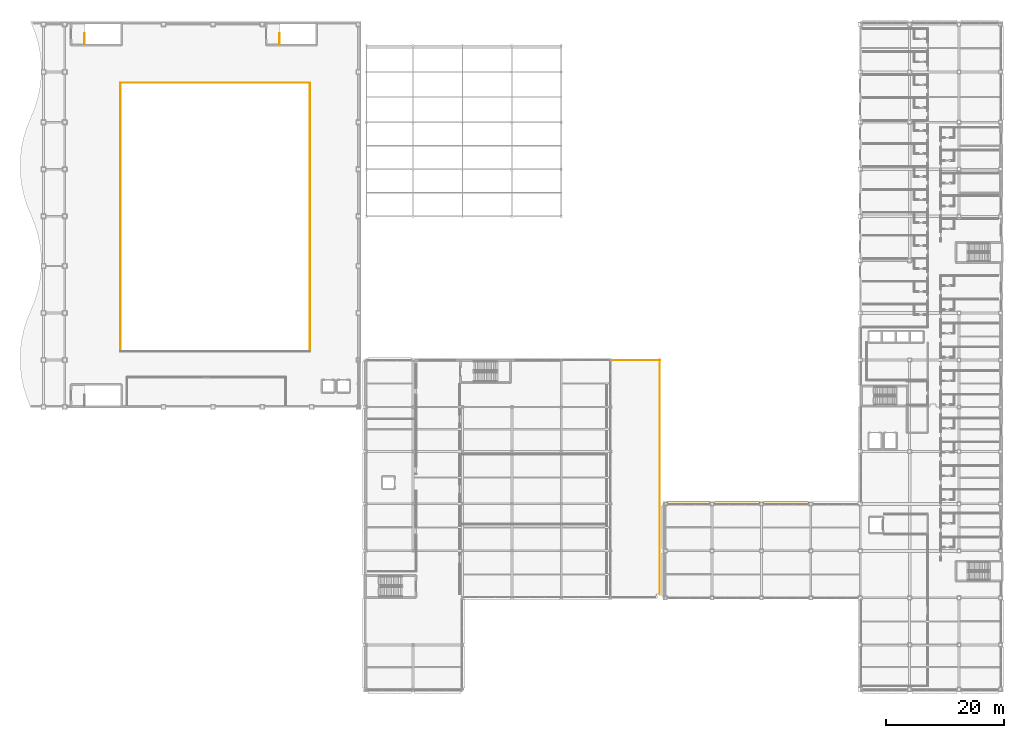
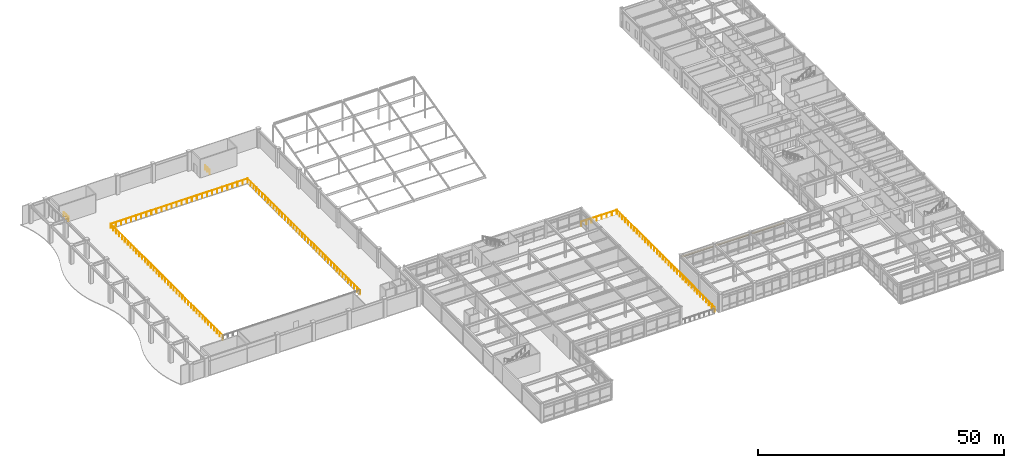
# One storey, part 89 of 93: 7 railings, 3 coverings.
"""IFC4 building model written with IfcOpenShell, lengths in metres."""

from ifc_helpers import new_model, si_unit, direction, frame, origin, origin_2d, place, context, subcontext, project, spatial, rectangle, circle, extrude, material, layer, layer_set, type_object, element, save


model = new_model("IFC4")

# Units and contexts
model_context = context("Model", 3, precision=1e-05, world=origin(), true_north=direction((0.0, 1.0)))
body_context = subcontext(model_context, "Body", "Model", "MODEL_VIEW")
ifc_project = project(units=[si_unit("LENGTHUNIT", "METRE"), si_unit("AREAUNIT", "SQUARE_METRE"), si_unit("VOLUMEUNIT", "CUBIC_METRE"), si_unit("PLANEANGLEUNIT", "RADIAN"), si_unit("MASSUNIT", "GRAM", prefix="KILO")], contexts=[model_context])

# Site, building, storey
site_placement = place(None, origin())
site = spatial("IfcSite", under=ifc_project, at=site_placement, CompositionType="ELEMENT")
building_placement = place(site_placement, origin())
building = spatial("IfcBuilding", under=site, at=building_placement, Name="Kazehara Bluff Congress Hotel", CompositionType="ELEMENT")
storey_placement = place(building_placement, frame((0.0, 0.0, 15.0)))
storey = spatial("IfcBuildingStorey", under=building, at=storey_placement, Name="L03", CompositionType="ELEMENT", Elevation=15.0)

# Coverings
ifc_material_1 = material(Name="Anodised aluminium architectural brise-soleil", Category="aluminium")
ifc_layer = layer(ifc_material_1, 0.10009765625)
ifc_layer_set = layer_set([ifc_layer], Name="Anodised aluminium architectural brise-soleil")
covering_type = type_object("IfcCoveringType", Name="TP-FAC-FIN", PredefinedType="CLADDING", material=ifc_layer_set)
covering_placement = place(storey_placement, frame((114.52490234375, 32.139892578125, 3.71484375), z_axis=(0.0, 0.0, 1.0), x_axis=(1.0, 0.0, 0.0)))
element("IfcCovering", 1, at=covering_placement, inside=storey, type_object=covering_type, Name="L03 V5 architectural sun-hood 165", PredefinedType="CLADDING", context=body_context, shape_type="SweptSolid", body=[
    extrude(rectangle(XDim=7.199951171875, YDim=0.52001953125, at=origin_2d()), origin(), (0.0, 0.0, 1.0), 0.10009765625),
])
for number, where, z_axis, x_axis, name in (
    (2, (122.699951171875, 32.139892578125, 3.71484375), (0.0, 0.0, 1.0), (1.0, 0.0, 0.0), "L03 V5 architectural sun-hood 166"),
    (3, (131.10009765625, 32.139892578125, 3.71484375), (0.0, 0.0, 1.0), (1.0, 0.0, 0.0), "L03 V5 architectural sun-hood 167"),
):
    element("IfcCovering", number, at=place(storey_placement, frame(where, z_axis=z_axis, x_axis=x_axis)), inside=storey, type_object=covering_type, Name=name, PredefinedType="CLADDING", context=body_context, shape_type="SweptSolid", body=[
        extrude(rectangle(XDim=7.64990234375, YDim=0.52001953125, at=origin_2d()), origin(), (0.0, 0.0, 1.0), 0.10009765625),
    ])

# Railings
ifc_material_2 = material(Name="Painted galvanised steel", Category="steel")
railing_type_1 = type_object("IfcRailingType", Name="TP-GRD-EXT", PredefinedType="BALUSTRADE", material=ifc_material_2)
railing_1_placement = place(storey_placement, frame((109.60009765625, 16.550048828125, 0.0)))
element("IfcRailing", 4, at=railing_1_placement, inside=storey, type_object=railing_type_1, Name="Concourse Court Terrace edge guard 4", PredefinedType="BALUSTRADE", context=body_context, shape_type="SweptSolid", body=[
    extrude(circle(Radius=0.02392578125, at=origin_2d()), frame((0.0, 0.0, 1.076171875), z_axis=(0.0, 1.0, 0.0), x_axis=(-1.0, 0.0, 0.0)), (0.0, 0.0, 1.0), 39.89990234375),
    extrude(circle(Radius=0.02099609375, at=origin_2d()), origin(), (0.0, 0.0, 1.0), 1.052001953125),
    extrude(circle(Radius=0.02099609375, at=origin_2d()), frame((0.0, 1.173583984375, 0.0)), (0.0, 0.0, 1.0), 1.052001953125),
    extrude(circle(Radius=0.02099609375, at=origin_2d()), frame((0.0, 2.34716796875, 0.0)), (0.0, 0.0, 1.0), 1.052001953125),
    extrude(circle(Radius=0.02099609375, at=origin_2d()), frame((0.0, 3.5205078125, 0.0)), (0.0, 0.0, 1.0), 1.052001953125),
    extrude(circle(Radius=0.02099609375, at=origin_2d()), frame((0.0, 4.694091796875, 0.0)), (0.0, 0.0, 1.0), 1.052001953125),
    extrude(circle(Radius=0.02099609375, at=origin_2d()), frame((0.0, 5.86767578125, 0.0)), (0.0, 0.0, 1.0), 1.052001953125),
    extrude(circle(Radius=0.02099609375, at=origin_2d()), frame((0.0, 7.041259765625, 0.0)), (0.0, 0.0, 1.0), 1.052001953125),
    extrude(circle(Radius=0.02099609375, at=origin_2d()), frame((0.0, 8.214599609375, 0.0)), (0.0, 0.0, 1.0), 1.052001953125),
    extrude(circle(Radius=0.02099609375, at=origin_2d()), frame((0.0, 9.38818359375, 0.0)), (0.0, 0.0, 1.0), 1.052001953125),
    extrude(circle(Radius=0.02099609375, at=origin_2d()), frame((0.0, 10.561767578125, 0.0)), (0.0, 0.0, 1.0), 1.052001953125),
    extrude(circle(Radius=0.02099609375, at=origin_2d()), frame((0.0, 11.7353515625, 0.0)), (0.0, 0.0, 1.0), 1.052001953125),
    extrude(circle(Radius=0.02099609375, at=origin_2d()), frame((0.0, 12.90869140625, 0.0)), (0.0, 0.0, 1.0), 1.052001953125),
    extrude(circle(Radius=0.02099609375, at=origin_2d()), frame((0.0, 14.082275390625, 0.0)), (0.0, 0.0, 1.0), 1.052001953125),
    extrude(circle(Radius=0.02099609375, at=origin_2d()), frame((0.0, 15.255859375, 0.0)), (0.0, 0.0, 1.0), 1.052001953125),
    extrude(circle(Radius=0.02099609375, at=origin_2d()), frame((0.0, 16.429443359375, 0.0)), (0.0, 0.0, 1.0), 1.052001953125),
    extrude(circle(Radius=0.02099609375, at=origin_2d()), frame((0.0, 17.602783203125, 0.0)), (0.0, 0.0, 1.0), 1.052001953125),
    extrude(circle(Radius=0.02099609375, at=origin_2d()), frame((0.0, 18.7763671875, 0.0)), (0.0, 0.0, 1.0), 1.052001953125),
    extrude(circle(Radius=0.02099609375, at=origin_2d()), frame((0.0, 19.949951171875, 0.0)), (0.0, 0.0, 1.0), 1.052001953125),
    extrude(circle(Radius=0.02099609375, at=origin_2d()), frame((0.0, 21.12353515625, 0.0)), (0.0, 0.0, 1.0), 1.052001953125),
    extrude(circle(Radius=0.02099609375, at=origin_2d()), frame((0.0, 22.297119140625, 0.0)), (0.0, 0.0, 1.0), 1.052001953125),
    extrude(circle(Radius=0.02099609375, at=origin_2d()), frame((0.0, 23.470458984375, 0.0)), (0.0, 0.0, 1.0), 1.052001953125),
    extrude(circle(Radius=0.02099609375, at=origin_2d()), frame((0.0, 24.64404296875, 0.0)), (0.0, 0.0, 1.0), 1.052001953125),
    extrude(circle(Radius=0.02099609375, at=origin_2d()), frame((0.0, 25.817626953125, 0.0)), (0.0, 0.0, 1.0), 1.052001953125),
    extrude(circle(Radius=0.02099609375, at=origin_2d()), frame((0.0, 26.9912109375, 0.0)), (0.0, 0.0, 1.0), 1.052001953125),
    extrude(circle(Radius=0.02099609375, at=origin_2d()), frame((0.0, 28.16455078125, 0.0)), (0.0, 0.0, 1.0), 1.052001953125),
    extrude(circle(Radius=0.02099609375, at=origin_2d()), frame((0.0, 29.338134765625, 0.0)), (0.0, 0.0, 1.0), 1.052001953125),
    extrude(circle(Radius=0.02099609375, at=origin_2d()), frame((0.0, 30.51171875, 0.0)), (0.0, 0.0, 1.0), 1.052001953125),
    extrude(circle(Radius=0.02099609375, at=origin_2d()), frame((0.0, 31.685302734375, 0.0)), (0.0, 0.0, 1.0), 1.052001953125),
    extrude(circle(Radius=0.02099609375, at=origin_2d()), frame((0.0, 32.858642578125, 0.0)), (0.0, 0.0, 1.0), 1.052001953125),
    extrude(circle(Radius=0.02099609375, at=origin_2d()), frame((0.0, 34.0322265625, 0.0)), (0.0, 0.0, 1.0), 1.052001953125),
    extrude(circle(Radius=0.02099609375, at=origin_2d()), frame((0.0, 35.205810546875, 0.0)), (0.0, 0.0, 1.0), 1.052001953125),
    extrude(circle(Radius=0.02099609375, at=origin_2d()), frame((0.0, 36.37939453125, 0.0)), (0.0, 0.0, 1.0), 1.052001953125),
    extrude(circle(Radius=0.02099609375, at=origin_2d()), frame((0.0, 37.552734375, 0.0)), (0.0, 0.0, 1.0), 1.052001953125),
    extrude(circle(Radius=0.02099609375, at=origin_2d()), frame((0.0, 38.726318359375, 0.0)), (0.0, 0.0, 1.0), 1.052001953125),
    extrude(circle(Radius=0.02099609375, at=origin_2d()), frame((0.0, 39.89990234375, 0.0)), (0.0, 0.0, 1.0), 1.052001953125),
])
railing_2_placement = place(storey_placement, frame((109.64990234375, 56.39990234375, 0.0)))
element("IfcRailing", 5, at=railing_2_placement, inside=storey, type_object=railing_type_1, Name="Concourse Court Terrace edge guard 5", PredefinedType="BALUSTRADE", context=body_context, shape_type="SweptSolid", body=[
    extrude(circle(Radius=0.02392578125, at=origin_2d()), frame((0.0, 0.0, 1.076171875), z_axis=(-1.0, 0.0, 0.0), x_axis=(0.0, -1.0, 0.0)), (0.0, 0.0, 1.0), 8.39990234375),
    extrude(circle(Radius=0.02099609375, at=origin_2d()), origin(), (0.0, 0.0, 1.0), 1.052001953125),
    extrude(circle(Radius=0.02099609375, at=origin_2d()), frame((-1.199951171875, 0.0, 0.0)), (0.0, 0.0, 1.0), 1.052001953125),
    extrude(circle(Radius=0.02099609375, at=origin_2d()), frame((-2.39990234375, 0.0, 0.0)), (0.0, 0.0, 1.0), 1.052001953125),
    extrude(circle(Radius=0.02099609375, at=origin_2d()), frame((-3.599853515625, 0.0, 0.0)), (0.0, 0.0, 1.0), 1.052001953125),
    extrude(circle(Radius=0.02099609375, at=origin_2d()), frame((-4.800048828125, 0.0, 0.0)), (0.0, 0.0, 1.0), 1.052001953125),
    extrude(circle(Radius=0.02099609375, at=origin_2d()), frame((-6.0, 0.0, 0.0)), (0.0, 0.0, 1.0), 1.052001953125),
    extrude(circle(Radius=0.02099609375, at=origin_2d()), frame((-7.199951171875, 0.0, 0.0)), (0.0, 0.0, 1.0), 1.052001953125),
    extrude(circle(Radius=0.02099609375, at=origin_2d()), frame((-8.39990234375, 0.0, 0.0)), (0.0, 0.0, 1.0), 1.052001953125),
])
ifc_material_3 = material(Name="Brushed stainless steel", Category="steel")
railing_type_2 = type_object("IfcRailingType", Name="TP-GRD-INT", PredefinedType="GUARDRAIL", material=ifc_material_3)
for number, where, name in (
    (6, (11.75, 110.14990234375, 0.0), "L03 ST-01 top well guard 1"),
    (7, (44.949951171875, 110.14990234375, 0.0), "L03 ST-02 top well guard 1"),
):
    element("IfcRailing", number, at=place(storey_placement, frame(where)), inside=storey, type_object=railing_type_2, Name=name, PredefinedType="GUARDRAIL", context=body_context, shape_type="SweptSolid", body=[
        extrude(circle(Radius=0.02392578125, at=origin_2d()), frame((0.0, 0.0, 1.076171875), z_axis=(0.0, 1.0, 0.0), x_axis=(-1.0, 0.0, 0.0)), (0.0, 0.0, 1.0), 1.85009765625),
        extrude(circle(Radius=0.02099609375, at=origin_2d()), origin(), (0.0, 0.0, 1.0), 1.052001953125),
        extrude(circle(Radius=0.02099609375, at=origin_2d()), frame((0.0, 0.925048828125, 0.0)), (0.0, 0.0, 1.0), 1.052001953125),
        extrude(circle(Radius=0.02099609375, at=origin_2d()), frame((0.0, 1.85009765625, 0.0)), (0.0, 0.0, 1.0), 1.052001953125),
    ])
railing_3_placement = place(storey_placement, frame((50.10009765625, 57.89990234375, 0.0)))
element("IfcRailing", 8, at=railing_3_placement, inside=storey, type_object=railing_type_2, Name="L03 V1-VOID void guardrail E", PredefinedType="GUARDRAIL", context=body_context, shape_type="SweptSolid", body=[
    extrude(circle(Radius=0.02392578125, at=origin_2d()), frame((0.0, 0.0, 1.076171875), z_axis=(0.0, 1.0, 0.0), x_axis=(-1.0, 0.0, 0.0)), (0.0, 0.0, 1.0), 45.6201171875),
    extrude(circle(Radius=0.02099609375, at=origin_2d()), origin(), (0.0, 0.0, 1.0), 1.052001953125),
    extrude(circle(Radius=0.02099609375, at=origin_2d()), frame((0.0, 1.169677734375, 0.0)), (0.0, 0.0, 1.0), 1.052001953125),
    extrude(circle(Radius=0.02099609375, at=origin_2d()), frame((0.0, 2.339599609375, 0.0)), (0.0, 0.0, 1.0), 1.052001953125),
    extrude(circle(Radius=0.02099609375, at=origin_2d()), frame((0.0, 3.50927734375, 0.0)), (0.0, 0.0, 1.0), 1.052001953125),
    extrude(circle(Radius=0.02099609375, at=origin_2d()), frame((0.0, 4.678955078125, 0.0)), (0.0, 0.0, 1.0), 1.052001953125),
    extrude(circle(Radius=0.02099609375, at=origin_2d()), frame((0.0, 5.8486328125, 0.0)), (0.0, 0.0, 1.0), 1.052001953125),
    extrude(circle(Radius=0.02099609375, at=origin_2d()), frame((0.0, 7.0185546875, 0.0)), (0.0, 0.0, 1.0), 1.052001953125),
    extrude(circle(Radius=0.02099609375, at=origin_2d()), frame((0.0, 8.188232421875, 0.0)), (0.0, 0.0, 1.0), 1.052001953125),
    extrude(circle(Radius=0.02099609375, at=origin_2d()), frame((0.0, 9.35791015625, 0.0)), (0.0, 0.0, 1.0), 1.052001953125),
    extrude(circle(Radius=0.02099609375, at=origin_2d()), frame((0.0, 10.52783203125, 0.0)), (0.0, 0.0, 1.0), 1.052001953125),
    extrude(circle(Radius=0.02099609375, at=origin_2d()), frame((0.0, 11.697509765625, 0.0)), (0.0, 0.0, 1.0), 1.052001953125),
    extrude(circle(Radius=0.02099609375, at=origin_2d()), frame((0.0, 12.8671875, 0.0)), (0.0, 0.0, 1.0), 1.052001953125),
    extrude(circle(Radius=0.02099609375, at=origin_2d()), frame((0.0, 14.036865234375, 0.0)), (0.0, 0.0, 1.0), 1.052001953125),
    extrude(circle(Radius=0.02099609375, at=origin_2d()), frame((0.0, 15.206787109375, 0.0)), (0.0, 0.0, 1.0), 1.052001953125),
    extrude(circle(Radius=0.02099609375, at=origin_2d()), frame((0.0, 16.37646484375, 0.0)), (0.0, 0.0, 1.0), 1.052001953125),
    extrude(circle(Radius=0.02099609375, at=origin_2d()), frame((0.0, 17.546142578125, 0.0)), (0.0, 0.0, 1.0), 1.052001953125),
    extrude(circle(Radius=0.02099609375, at=origin_2d()), frame((0.0, 18.716064453125, 0.0)), (0.0, 0.0, 1.0), 1.052001953125),
    extrude(circle(Radius=0.02099609375, at=origin_2d()), frame((0.0, 19.8857421875, 0.0)), (0.0, 0.0, 1.0), 1.052001953125),
    extrude(circle(Radius=0.02099609375, at=origin_2d()), frame((0.0, 21.055419921875, 0.0)), (0.0, 0.0, 1.0), 1.052001953125),
    extrude(circle(Radius=0.02099609375, at=origin_2d()), frame((0.0, 22.22509765625, 0.0)), (0.0, 0.0, 1.0), 1.052001953125),
    extrude(circle(Radius=0.02099609375, at=origin_2d()), frame((0.0, 23.39501953125, 0.0)), (0.0, 0.0, 1.0), 1.052001953125),
    extrude(circle(Radius=0.02099609375, at=origin_2d()), frame((0.0, 24.564697265625, 0.0)), (0.0, 0.0, 1.0), 1.052001953125),
    extrude(circle(Radius=0.02099609375, at=origin_2d()), frame((0.0, 25.734375, 0.0)), (0.0, 0.0, 1.0), 1.052001953125),
    extrude(circle(Radius=0.02099609375, at=origin_2d()), frame((0.0, 26.904052734375, 0.0)), (0.0, 0.0, 1.0), 1.052001953125),
    extrude(circle(Radius=0.02099609375, at=origin_2d()), frame((0.0, 28.073974609375, 0.0)), (0.0, 0.0, 1.0), 1.052001953125),
    extrude(circle(Radius=0.02099609375, at=origin_2d()), frame((0.0, 29.24365234375, 0.0)), (0.0, 0.0, 1.0), 1.052001953125),
    extrude(circle(Radius=0.02099609375, at=origin_2d()), frame((0.0, 30.413330078125, 0.0)), (0.0, 0.0, 1.0), 1.052001953125),
    extrude(circle(Radius=0.02099609375, at=origin_2d()), frame((0.0, 31.583251953125, 0.0)), (0.0, 0.0, 1.0), 1.052001953125),
    extrude(circle(Radius=0.02099609375, at=origin_2d()), frame((0.0, 32.7529296875, 0.0)), (0.0, 0.0, 1.0), 1.052001953125),
    extrude(circle(Radius=0.02099609375, at=origin_2d()), frame((0.0, 33.922607421875, 0.0)), (0.0, 0.0, 1.0), 1.052001953125),
    extrude(circle(Radius=0.02099609375, at=origin_2d()), frame((0.0, 35.09228515625, 0.0)), (0.0, 0.0, 1.0), 1.052001953125),
    extrude(circle(Radius=0.02099609375, at=origin_2d()), frame((0.0, 36.26220703125, 0.0)), (0.0, 0.0, 1.0), 1.052001953125),
    extrude(circle(Radius=0.02099609375, at=origin_2d()), frame((0.0, 37.431884765625, 0.0)), (0.0, 0.0, 1.0), 1.052001953125),
    extrude(circle(Radius=0.02099609375, at=origin_2d()), frame((0.0, 38.6015625, 0.0)), (0.0, 0.0, 1.0), 1.052001953125),
    extrude(circle(Radius=0.02099609375, at=origin_2d()), frame((0.0, 39.771484375, 0.0)), (0.0, 0.0, 1.0), 1.052001953125),
    extrude(circle(Radius=0.02099609375, at=origin_2d()), frame((0.0, 40.941162109375, 0.0)), (0.0, 0.0, 1.0), 1.052001953125),
    extrude(circle(Radius=0.02099609375, at=origin_2d()), frame((0.0, 42.11083984375, 0.0)), (0.0, 0.0, 1.0), 1.052001953125),
    extrude(circle(Radius=0.02099609375, at=origin_2d()), frame((0.0, 43.280517578125, 0.0)), (0.0, 0.0, 1.0), 1.052001953125),
    extrude(circle(Radius=0.02099609375, at=origin_2d()), frame((0.0, 44.450439453125, 0.0)), (0.0, 0.0, 1.0), 1.052001953125),
    extrude(circle(Radius=0.02099609375, at=origin_2d()), frame((0.0, 45.6201171875, 0.0)), (0.0, 0.0, 1.0), 1.052001953125),
])
railing_4_placement = place(storey_placement, frame((50.10009765625, 103.60009765625, 0.0)))
element("IfcRailing", 9, at=railing_4_placement, inside=storey, type_object=railing_type_2, Name="L03 V1-VOID void guardrail N", PredefinedType="GUARDRAIL", context=body_context, shape_type="SweptSolid", body=[
    extrude(circle(Radius=0.02392578125, at=origin_2d()), frame((0.0, 0.0, 1.076171875), z_axis=(-1.0, 0.0, 0.0), x_axis=(0.0, -1.0, 0.0)), (0.0, 0.0, 1.0), 32.1201171875),
    extrude(circle(Radius=0.02099609375, at=origin_2d()), origin(), (0.0, 0.0, 1.0), 1.052001953125),
    extrude(circle(Radius=0.02099609375, at=origin_2d()), frame((-1.189697265625, 0.0, 0.0)), (0.0, 0.0, 1.0), 1.052001953125),
    extrude(circle(Radius=0.02099609375, at=origin_2d()), frame((-2.379150390625, 0.0, 0.0)), (0.0, 0.0, 1.0), 1.052001953125),
    extrude(circle(Radius=0.02099609375, at=origin_2d()), frame((-3.56884765625, 0.0, 0.0)), (0.0, 0.0, 1.0), 1.052001953125),
    extrude(circle(Radius=0.02099609375, at=origin_2d()), frame((-4.758544921875, 0.0, 0.0)), (0.0, 0.0, 1.0), 1.052001953125),
    extrude(circle(Radius=0.02099609375, at=origin_2d()), frame((-5.9482421875, 0.0, 0.0)), (0.0, 0.0, 1.0), 1.052001953125),
    extrude(circle(Radius=0.02099609375, at=origin_2d()), frame((-7.1376953125, 0.0, 0.0)), (0.0, 0.0, 1.0), 1.052001953125),
    extrude(circle(Radius=0.02099609375, at=origin_2d()), frame((-8.327392578125, 0.0, 0.0)), (0.0, 0.0, 1.0), 1.052001953125),
    extrude(circle(Radius=0.02099609375, at=origin_2d()), frame((-9.51708984375, 0.0, 0.0)), (0.0, 0.0, 1.0), 1.052001953125),
    extrude(circle(Radius=0.02099609375, at=origin_2d()), frame((-10.706787109375, 0.0, 0.0)), (0.0, 0.0, 1.0), 1.052001953125),
    extrude(circle(Radius=0.02099609375, at=origin_2d()), frame((-11.896240234375, 0.0, 0.0)), (0.0, 0.0, 1.0), 1.052001953125),
    extrude(circle(Radius=0.02099609375, at=origin_2d()), frame((-13.0859375, 0.0, 0.0)), (0.0, 0.0, 1.0), 1.052001953125),
    extrude(circle(Radius=0.02099609375, at=origin_2d()), frame((-14.275634765625, 0.0, 0.0)), (0.0, 0.0, 1.0), 1.052001953125),
    extrude(circle(Radius=0.02099609375, at=origin_2d()), frame((-15.46533203125, 0.0, 0.0)), (0.0, 0.0, 1.0), 1.052001953125),
    extrude(circle(Radius=0.02099609375, at=origin_2d()), frame((-16.65478515625, 0.0, 0.0)), (0.0, 0.0, 1.0), 1.052001953125),
    extrude(circle(Radius=0.02099609375, at=origin_2d()), frame((-17.844482421875, 0.0, 0.0)), (0.0, 0.0, 1.0), 1.052001953125),
    extrude(circle(Radius=0.02099609375, at=origin_2d()), frame((-19.0341796875, 0.0, 0.0)), (0.0, 0.0, 1.0), 1.052001953125),
    extrude(circle(Radius=0.02099609375, at=origin_2d()), frame((-20.223876953125, 0.0, 0.0)), (0.0, 0.0, 1.0), 1.052001953125),
    extrude(circle(Radius=0.02099609375, at=origin_2d()), frame((-21.413330078125, 0.0, 0.0)), (0.0, 0.0, 1.0), 1.052001953125),
    extrude(circle(Radius=0.02099609375, at=origin_2d()), frame((-22.60302734375, 0.0, 0.0)), (0.0, 0.0, 1.0), 1.052001953125),
    extrude(circle(Radius=0.02099609375, at=origin_2d()), frame((-23.792724609375, 0.0, 0.0)), (0.0, 0.0, 1.0), 1.052001953125),
    extrude(circle(Radius=0.02099609375, at=origin_2d()), frame((-24.982421875, 0.0, 0.0)), (0.0, 0.0, 1.0), 1.052001953125),
    extrude(circle(Radius=0.02099609375, at=origin_2d()), frame((-26.171875, 0.0, 0.0)), (0.0, 0.0, 1.0), 1.052001953125),
    extrude(circle(Radius=0.02099609375, at=origin_2d()), frame((-27.361572265625, 0.0, 0.0)), (0.0, 0.0, 1.0), 1.052001953125),
    extrude(circle(Radius=0.02099609375, at=origin_2d()), frame((-28.55126953125, 0.0, 0.0)), (0.0, 0.0, 1.0), 1.052001953125),
    extrude(circle(Radius=0.02099609375, at=origin_2d()), frame((-29.740966796875, 0.0, 0.0)), (0.0, 0.0, 1.0), 1.052001953125),
    extrude(circle(Radius=0.02099609375, at=origin_2d()), frame((-30.930419921875, 0.0, 0.0)), (0.0, 0.0, 1.0), 1.052001953125),
    extrude(circle(Radius=0.02099609375, at=origin_2d()), frame((-32.1201171875, 0.0, 0.0)), (0.0, 0.0, 1.0), 1.052001953125),
])
railing_5_placement = place(storey_placement, frame((17.89990234375, 103.60009765625, 0.0)))
element("IfcRailing", 10, at=railing_5_placement, inside=storey, type_object=railing_type_2, Name="L03 V1-VOID void guardrail W", PredefinedType="GUARDRAIL", context=body_context, shape_type="SweptSolid", body=[
    extrude(circle(Radius=0.02392578125, at=origin_2d()), frame((0.0, 0.0, 1.076171875), z_axis=(0.0, -1.0, 0.0), x_axis=(1.0, 0.0, 0.0)), (0.0, 0.0, 1.0), 45.6201171875),
    extrude(circle(Radius=0.02099609375, at=origin_2d()), origin(), (0.0, 0.0, 1.0), 1.052001953125),
    extrude(circle(Radius=0.02099609375, at=origin_2d()), frame((0.0, -1.169677734375, 0.0)), (0.0, 0.0, 1.0), 1.052001953125),
    extrude(circle(Radius=0.02099609375, at=origin_2d()), frame((0.0, -2.339599609375, 0.0)), (0.0, 0.0, 1.0), 1.052001953125),
    extrude(circle(Radius=0.02099609375, at=origin_2d()), frame((0.0, -3.50927734375, 0.0)), (0.0, 0.0, 1.0), 1.052001953125),
    extrude(circle(Radius=0.02099609375, at=origin_2d()), frame((0.0, -4.678955078125, 0.0)), (0.0, 0.0, 1.0), 1.052001953125),
    extrude(circle(Radius=0.02099609375, at=origin_2d()), frame((0.0, -5.8486328125, 0.0)), (0.0, 0.0, 1.0), 1.052001953125),
    extrude(circle(Radius=0.02099609375, at=origin_2d()), frame((0.0, -7.0185546875, 0.0)), (0.0, 0.0, 1.0), 1.052001953125),
    extrude(circle(Radius=0.02099609375, at=origin_2d()), frame((0.0, -8.188232421875, 0.0)), (0.0, 0.0, 1.0), 1.052001953125),
    extrude(circle(Radius=0.02099609375, at=origin_2d()), frame((0.0, -9.35791015625, 0.0)), (0.0, 0.0, 1.0), 1.052001953125),
    extrude(circle(Radius=0.02099609375, at=origin_2d()), frame((0.0, -10.52783203125, 0.0)), (0.0, 0.0, 1.0), 1.052001953125),
    extrude(circle(Radius=0.02099609375, at=origin_2d()), frame((0.0, -11.697509765625, 0.0)), (0.0, 0.0, 1.0), 1.052001953125),
    extrude(circle(Radius=0.02099609375, at=origin_2d()), frame((0.0, -12.8671875, 0.0)), (0.0, 0.0, 1.0), 1.052001953125),
    extrude(circle(Radius=0.02099609375, at=origin_2d()), frame((0.0, -14.036865234375, 0.0)), (0.0, 0.0, 1.0), 1.052001953125),
    extrude(circle(Radius=0.02099609375, at=origin_2d()), frame((0.0, -15.206787109375, 0.0)), (0.0, 0.0, 1.0), 1.052001953125),
    extrude(circle(Radius=0.02099609375, at=origin_2d()), frame((0.0, -16.37646484375, 0.0)), (0.0, 0.0, 1.0), 1.052001953125),
    extrude(circle(Radius=0.02099609375, at=origin_2d()), frame((0.0, -17.546142578125, 0.0)), (0.0, 0.0, 1.0), 1.052001953125),
    extrude(circle(Radius=0.02099609375, at=origin_2d()), frame((0.0, -18.716064453125, 0.0)), (0.0, 0.0, 1.0), 1.052001953125),
    extrude(circle(Radius=0.02099609375, at=origin_2d()), frame((0.0, -19.8857421875, 0.0)), (0.0, 0.0, 1.0), 1.052001953125),
    extrude(circle(Radius=0.02099609375, at=origin_2d()), frame((0.0, -21.055419921875, 0.0)), (0.0, 0.0, 1.0), 1.052001953125),
    extrude(circle(Radius=0.02099609375, at=origin_2d()), frame((0.0, -22.22509765625, 0.0)), (0.0, 0.0, 1.0), 1.052001953125),
    extrude(circle(Radius=0.02099609375, at=origin_2d()), frame((0.0, -23.39501953125, 0.0)), (0.0, 0.0, 1.0), 1.052001953125),
    extrude(circle(Radius=0.02099609375, at=origin_2d()), frame((0.0, -24.564697265625, 0.0)), (0.0, 0.0, 1.0), 1.052001953125),
    extrude(circle(Radius=0.02099609375, at=origin_2d()), frame((0.0, -25.734375, 0.0)), (0.0, 0.0, 1.0), 1.052001953125),
    extrude(circle(Radius=0.02099609375, at=origin_2d()), frame((0.0, -26.904052734375, 0.0)), (0.0, 0.0, 1.0), 1.052001953125),
    extrude(circle(Radius=0.02099609375, at=origin_2d()), frame((0.0, -28.073974609375, 0.0)), (0.0, 0.0, 1.0), 1.052001953125),
    extrude(circle(Radius=0.02099609375, at=origin_2d()), frame((0.0, -29.24365234375, 0.0)), (0.0, 0.0, 1.0), 1.052001953125),
    extrude(circle(Radius=0.02099609375, at=origin_2d()), frame((0.0, -30.413330078125, 0.0)), (0.0, 0.0, 1.0), 1.052001953125),
    extrude(circle(Radius=0.02099609375, at=origin_2d()), frame((0.0, -31.583251953125, 0.0)), (0.0, 0.0, 1.0), 1.052001953125),
    extrude(circle(Radius=0.02099609375, at=origin_2d()), frame((0.0, -32.7529296875, 0.0)), (0.0, 0.0, 1.0), 1.052001953125),
    extrude(circle(Radius=0.02099609375, at=origin_2d()), frame((0.0, -33.922607421875, 0.0)), (0.0, 0.0, 1.0), 1.052001953125),
    extrude(circle(Radius=0.02099609375, at=origin_2d()), frame((0.0, -35.09228515625, 0.0)), (0.0, 0.0, 1.0), 1.052001953125),
    extrude(circle(Radius=0.02099609375, at=origin_2d()), frame((0.0, -36.26220703125, 0.0)), (0.0, 0.0, 1.0), 1.052001953125),
    extrude(circle(Radius=0.02099609375, at=origin_2d()), frame((0.0, -37.431884765625, 0.0)), (0.0, 0.0, 1.0), 1.052001953125),
    extrude(circle(Radius=0.02099609375, at=origin_2d()), frame((0.0, -38.6015625, 0.0)), (0.0, 0.0, 1.0), 1.052001953125),
    extrude(circle(Radius=0.02099609375, at=origin_2d()), frame((0.0, -39.771484375, 0.0)), (0.0, 0.0, 1.0), 1.052001953125),
    extrude(circle(Radius=0.02099609375, at=origin_2d()), frame((0.0, -40.941162109375, 0.0)), (0.0, 0.0, 1.0), 1.052001953125),
    extrude(circle(Radius=0.02099609375, at=origin_2d()), frame((0.0, -42.11083984375, 0.0)), (0.0, 0.0, 1.0), 1.052001953125),
    extrude(circle(Radius=0.02099609375, at=origin_2d()), frame((0.0, -43.280517578125, 0.0)), (0.0, 0.0, 1.0), 1.052001953125),
    extrude(circle(Radius=0.02099609375, at=origin_2d()), frame((0.0, -44.450439453125, 0.0)), (0.0, 0.0, 1.0), 1.052001953125),
    extrude(circle(Radius=0.02099609375, at=origin_2d()), frame((0.0, -45.6201171875, 0.0)), (0.0, 0.0, 1.0), 1.052001953125),
])

save(model, "model.ifc")
